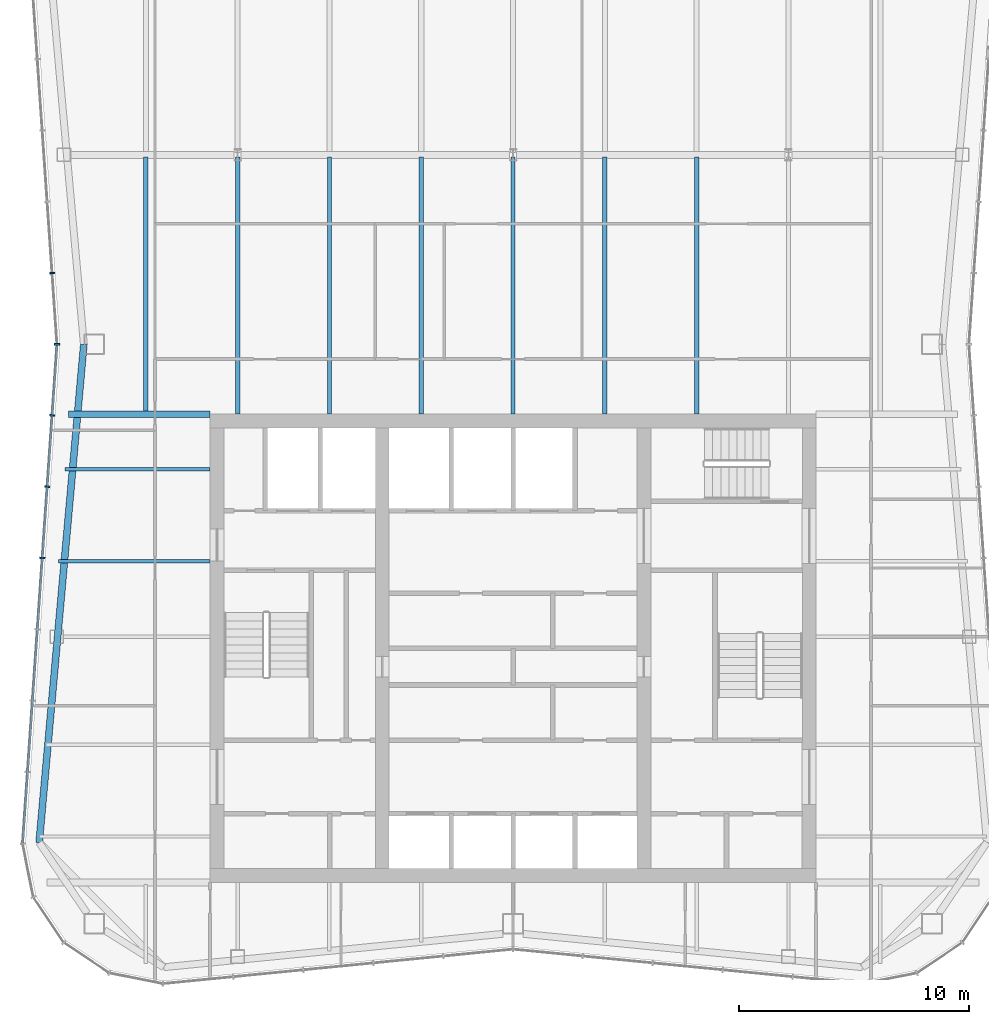
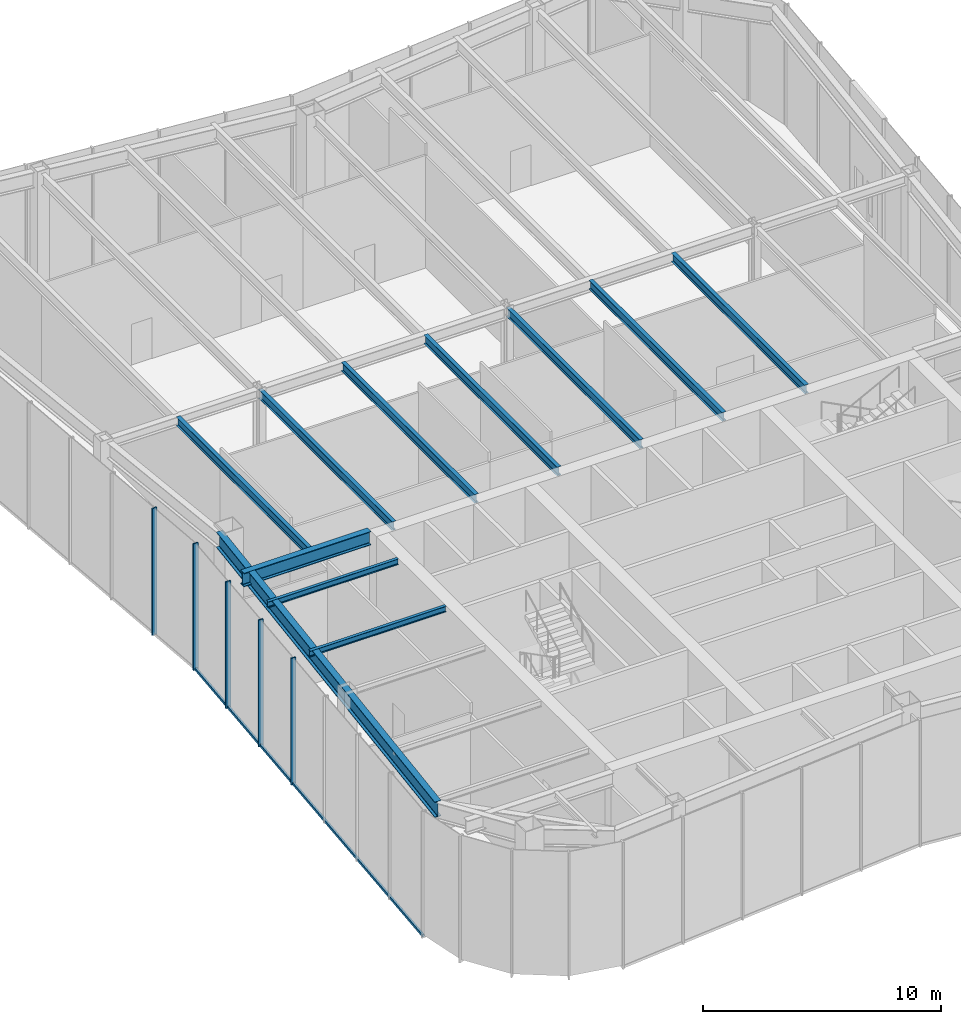
# One storey, part 4 of 15: 11 beams, 6 members, 1 element without a shape of its own.
"""IFC4 building model written with IfcOpenShell, lengths in metres."""

from ifc_helpers import new_model, si_unit, direction, frame, origin, origin_2d, place, context, subcontext, project, spatial, rectangle, i_section, extrude, material, material_profile, profile_set, type_object, element, aggregate, save


model = new_model("IFC4")

# Units and contexts
model_context = context("Model", 3, precision=1e-05, world=origin(), true_north=direction((0.0, 1.0)))
body_context = subcontext(model_context, "Body", "Model", "MODEL_VIEW")
ifc_project = project(units=[si_unit("LENGTHUNIT", "METRE"), si_unit("AREAUNIT", "SQUARE_METRE"), si_unit("VOLUMEUNIT", "CUBIC_METRE"), si_unit("PLANEANGLEUNIT", "RADIAN"), si_unit("MASSUNIT", "GRAM", prefix="KILO")], contexts=[model_context])

# Site, building, storey
site_placement = place(None, origin())
site = spatial("IfcSite", under=ifc_project, at=site_placement, CompositionType="ELEMENT")
building_placement = place(site_placement, origin())
building = spatial("IfcBuilding", under=site, at=building_placement, Name="Verdant Reach Tower", CompositionType="ELEMENT")
storey_placement = place(building_placement, frame((0.0, 0.0, 334.0)))
storey = spatial("IfcBuildingStorey", under=building, at=storey_placement, Name="L77", CompositionType="ELEMENT", Elevation=334.0)

# Curtain wall, members
ifc_material_1 = material(Name="Anodised aluminium", Category="aluminium")
curtain_wall_type = type_object("IfcCurtainWallType", Name="EN-CW SYSTEM Z5", PredefinedType="NOTDEFINED", material=ifc_material_1)
curtain_wall_placement = place(storey_placement, origin())
curtain_wall = element("IfcCurtainWall", 1, at=curtain_wall_placement, inside=storey, type_object=curtain_wall_type, Name="Curtain wall west, L77", PredefinedType="NOTDEFINED")
ifc_material_profile_1 = material_profile(ifc_material_1, rectangle(XDim=0.22998046875, YDim=0.070068359375, at=origin_2d()), Name="Mullion 70x230")
ifc_profile_set_1 = profile_set([ifc_material_profile_1], Name="Anodised aluminium")
member_type_1 = type_object("IfcMemberType", Name="EN-MULLION Z5", PredefinedType="MULLION", material=ifc_profile_set_1)
member_1_placement = place(storey_placement, frame((-20.0791015625, 44.34912109375, -0.35009765625), z_axis=(0.0, 0.0, 1.0), x_axis=(-0.997630328423, -0.068802091615, 0.0)))
member_1 = element("IfcMember", 2, at=member_1_placement, type_object=member_type_1, Name="Mullion west face part 1 7, L77", PredefinedType="MULLION", context=body_context, shape_type="SweptSolid", body=[
    extrude(rectangle(XDim=0.22998046875, YDim=0.070068359375, at=origin_2d()), origin(), (0.0, 0.0, 1.0), 6.5),
])
member_2_placement = place(storey_placement, frame((-19.864990234375, 41.25, -0.35009765625), z_axis=(0.0, 0.0, 1.0), x_axis=(-1.0, 0.0, 0.0)))
member_2 = element("IfcMember", 3, at=member_2_placement, type_object=member_type_1, Name="Mullion west face part 2 1, L77", PredefinedType="MULLION", context=body_context, shape_type="SweptSolid", body=[
    extrude(rectangle(XDim=0.22998046875, YDim=0.070068359375, at=origin_2d()), origin(), (0.0, 0.0, 1.0), 6.5),
])
member_3_placement = place(storey_placement, frame((-20.0791015625, 38.15087890625, -0.35009765625), z_axis=(0.0, 0.0, 1.0), x_axis=(-0.997630328423, 0.068802091615, 0.0)))
member_3 = element("IfcMember", 4, at=member_3_placement, type_object=member_type_1, Name="Mullion west face part 2 2, L77", PredefinedType="MULLION", context=body_context, shape_type="SweptSolid", body=[
    extrude(rectangle(XDim=0.22998046875, YDim=0.070068359375, at=origin_2d()), origin(), (0.0, 0.0, 1.0), 6.5),
])
member_4_placement = place(storey_placement, frame((-20.293212890625, 35.043701171875, -0.35009765625), z_axis=(0.0, 0.0, 1.0), x_axis=(-0.997630328423, 0.068802091615, 0.0)))
member_4 = element("IfcMember", 5, at=member_4_placement, type_object=member_type_1, Name="Mullion west face part 2 3, L77", PredefinedType="MULLION", context=body_context, shape_type="SweptSolid", body=[
    extrude(rectangle(XDim=0.22998046875, YDim=0.070068359375, at=origin_2d()), origin(), (0.0, 0.0, 1.0), 6.5),
])
member_5_placement = place(storey_placement, frame((-20.507568359375, 31.9365234375, -0.35009765625), z_axis=(0.0, 0.0, 1.0), x_axis=(-0.997630328423, 0.068802091615, 0.0)))
member_5 = element("IfcMember", 6, at=member_5_placement, type_object=member_type_1, Name="Mullion west face part 2 4, L77", PredefinedType="MULLION", context=body_context, shape_type="SweptSolid", body=[
    extrude(rectangle(XDim=0.22998046875, YDim=0.070068359375, at=origin_2d()), origin(), (0.0, 0.0, 1.0), 6.5),
])
ifc_material_profile_2 = material_profile(ifc_material_1, rectangle(XDim=0.10009765625, YDim=0.1298828125, at=origin_2d()), Name="Transom 130x100")
ifc_profile_set_2 = profile_set([ifc_material_profile_2], Name="Anodised aluminium")
member_type_2 = type_object("IfcMemberType", Name="EN-TRANSOM Z5", PredefinedType="USERDEFINED", material=ifc_profile_set_2)
member_6_placement = place(storey_placement, frame((-19.867431640625, 41.215087890625, -0.284912109375), z_axis=(-0.068764705107, -0.997632906099, 0.0), x_axis=(0.997632906099, -0.068764705107, 0.0)))
member_6 = element("IfcMember", 7, at=member_6_placement, type_object=member_type_2, Name="Transom west face part 2 1.1, L77", ObjectType="TRANSOM", PredefinedType="USERDEFINED", context=body_context, shape_type="SweptSolid", body=[
    extrude(rectangle(XDim=0.10009765625, YDim=0.1298828125, at=origin_2d()), origin(), (0.0, 0.0, 1.0), 21.739013671875),
])
aggregate(curtain_wall, [member_1, member_2, member_3, member_4, member_5, member_6])

# Beams
ifc_material_2 = material(Name="Steel S355", Category="steel")
ifc_material_profile_3 = material_profile(ifc_material_2, i_section(OverallWidth=0.300048828125, OverallDepth=0.699951171875, WebThickness=0.01708984375, FlangeThickness=0.031982421875, FilletRadius=0.027099609375, at=origin_2d()), Name="HEB 700")
ifc_profile_set_3 = profile_set([ifc_material_profile_3], Name="Steel S355")
beam_type_1 = type_object("IfcBeamType", Name="ST-BEAM-HEB700", PredefinedType="BEAM", material=ifc_profile_set_3)
beam_1_placement = place(storey_placement, frame((-13.199951171875, 38.199951171875, 6.0), z_axis=(-1.0, 0.0, 0.0), x_axis=(0.0, -1.0, 0.0)))
element("IfcBeam", 8, at=beam_1_placement, inside=storey, type_object=beam_type_1, Name="Trimmer beam, L77", PredefinedType="BEAM", context=body_context, shape_type="SweptSolid", body=[
    extrude(i_section(OverallWidth=0.300048828125, OverallDepth=0.699951171875, WebThickness=0.01708984375, FlangeThickness=0.031982421875, FilletRadius=0.027099609375, at=origin_2d()), origin(), (0.0, 0.0, 1.0), 6.158935546875),
])
ifc_material_profile_4 = material_profile(ifc_material_2, i_section(OverallWidth=0.14990234375, OverallDepth=0.300048828125, WebThickness=0.007080078125, FlangeThickness=0.0107421875, FilletRadius=0.014892578125, at=origin_2d()), Name="IPE 300")
ifc_profile_set_4 = profile_set([ifc_material_profile_4], Name="Steel S355")
beam_type_2 = type_object("IfcBeamType", Name="ST-JOIST-IPE300", PredefinedType="JOIST", material=ifc_profile_set_4)
beam_2_placement = place(storey_placement, frame((-13.199951171875, 31.800048828125, 6.199951171875), z_axis=(-1.0, 0.0, 0.0), x_axis=(0.0, -1.0, 0.0)))
element("IfcBeam", 9, at=beam_2_placement, inside=storey, type_object=beam_type_2, Name="Floor joist, L77", PredefinedType="JOIST", context=body_context, shape_type="SweptSolid", body=[
    extrude(i_section(OverallWidth=0.14990234375, OverallDepth=0.300048828125, WebThickness=0.007080078125, FlangeThickness=0.0107421875, FilletRadius=0.014892578125, at=origin_2d()), origin(), (0.0, 0.0, 1.0), 6.600341796875),
])
beam_3_placement = place(storey_placement, frame((-13.199951171875, 35.800048828125, 6.199951171875), z_axis=(-1.0, 0.0, 0.0), x_axis=(0.0, -1.0, 0.0)))
element("IfcBeam", 10, at=beam_3_placement, inside=storey, type_object=beam_type_2, Name="Floor joist, L77", PredefinedType="JOIST", context=body_context, shape_type="SweptSolid", body=[
    extrude(i_section(OverallWidth=0.14990234375, OverallDepth=0.300048828125, WebThickness=0.007080078125, FlangeThickness=0.0107421875, FilletRadius=0.014892578125, at=origin_2d()), origin(), (0.0, 0.0, 1.0), 6.324462890625),
])
ifc_material_profile_5 = material_profile(ifc_material_2, i_section(OverallWidth=0.18994140625, OverallDepth=0.449951171875, WebThickness=0.009521484375, FlangeThickness=0.0146484375, FilletRadius=0.02099609375, at=origin_2d()), Name="IPE 450")
ifc_profile_set_5 = profile_set([ifc_material_profile_5], Name="Steel S355")
beam_type_3 = type_object("IfcBeamType", Name="ST-JOIST-IPE450", PredefinedType="JOIST", material=ifc_profile_set_5)
beam_4_placement = place(storey_placement, frame((-16.0, 38.300048828125, 6.125), z_axis=(0.0, 1.0, 0.0), x_axis=(-1.0, 0.0, 0.0)))
element("IfcBeam", 11, at=beam_4_placement, inside=storey, type_object=beam_type_3, Name="Floor joist, L77", PredefinedType="JOIST", context=body_context, shape_type="SweptSolid", body=[
    extrude(i_section(OverallWidth=0.18994140625, OverallDepth=0.449951171875, WebThickness=0.009521484375, FlangeThickness=0.0146484375, FilletRadius=0.02099609375, at=origin_2d()), origin(), (0.0, 0.0, 1.0), 11.099853515625),
])
for number, where, z_axis, x_axis, name in (
    (12, (-12.0, 38.199951171875, 6.125), (0.0, 1.0, 0.0), (-1.0, 0.0, 0.0), "Floor joist, L77"),
    (13, (-8.0, 38.199951171875, 6.125), (0.0, 1.0, 0.0), (-1.0, 0.0, 0.0), "Floor joist, L77"),
    (14, (-4.0, 38.199951171875, 6.125), (0.0, 1.0, 0.0), (-1.0, 0.0, 0.0), "Floor joist, L77"),
    (15, (0.0, 38.199951171875, 6.125), (0.0, 1.0, 0.0), (-1.0, 0.0, 0.0), "Floor joist, L77"),
    (16, (4.0, 38.199951171875, 6.125), (0.0, 1.0, 0.0), (-1.0, 0.0, 0.0), "Floor joist, L77"),
    (17, (8.0, 38.199951171875, 6.125), (0.0, 1.0, 0.0), (-1.0, 0.0, 0.0), "Floor joist, L77"),
):
    element("IfcBeam", number, at=place(storey_placement, frame(where, z_axis=z_axis, x_axis=x_axis)), inside=storey, type_object=beam_type_3, Name=name, PredefinedType="JOIST", context=body_context, shape_type="SweptSolid", body=[
        extrude(i_section(OverallWidth=0.18994140625, OverallDepth=0.449951171875, WebThickness=0.009521484375, FlangeThickness=0.0146484375, FilletRadius=0.02099609375, at=origin_2d()), origin(), (0.0, 0.0, 1.0), 11.199951171875),
    ])
ifc_material_profile_6 = material_profile(ifc_material_2, i_section(OverallWidth=0.300048828125, OverallDepth=0.800048828125, WebThickness=0.017578125, FlangeThickness=0.032958984375, FilletRadius=0.030029296875, at=origin_2d()), Name="HEB 800")
ifc_profile_set_6 = profile_set([ifc_material_profile_6], Name="Steel S355")
beam_type_4 = type_object("IfcBeamType", Name="ST-SPANDREL-HEB800", PredefinedType="SPANDREL", material=ifc_profile_set_6)
beam_5_placement = place(storey_placement, frame((-20.64599609375, 19.53857421875, 5.949951171875), z_axis=(0.089274399498, 0.996007069048, 0.0), x_axis=(-0.996007069048, 0.089274399498, 0.0)))
element("IfcBeam", 18, at=beam_5_placement, inside=storey, type_object=beam_type_4, Name="Edge beam, L77", PredefinedType="SPANDREL", context=body_context, shape_type="SweptSolid", body=[
    extrude(i_section(OverallWidth=0.300048828125, OverallDepth=0.800048828125, WebThickness=0.017578125, FlangeThickness=0.032958984375, FilletRadius=0.030029296875, at=origin_2d()), origin(), (0.0, 0.0, 1.0), 21.798583984375),
])

save(model, "model.ifc")
